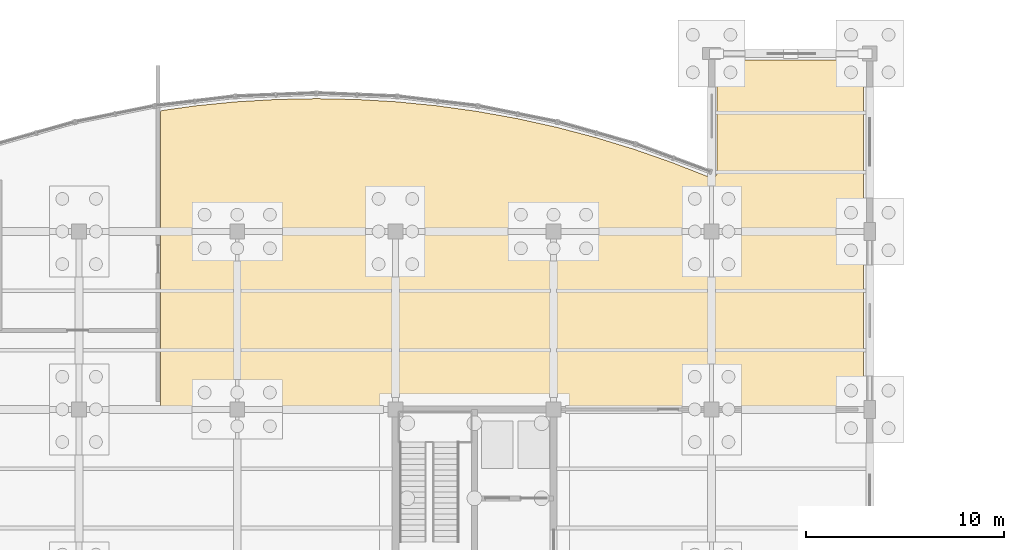
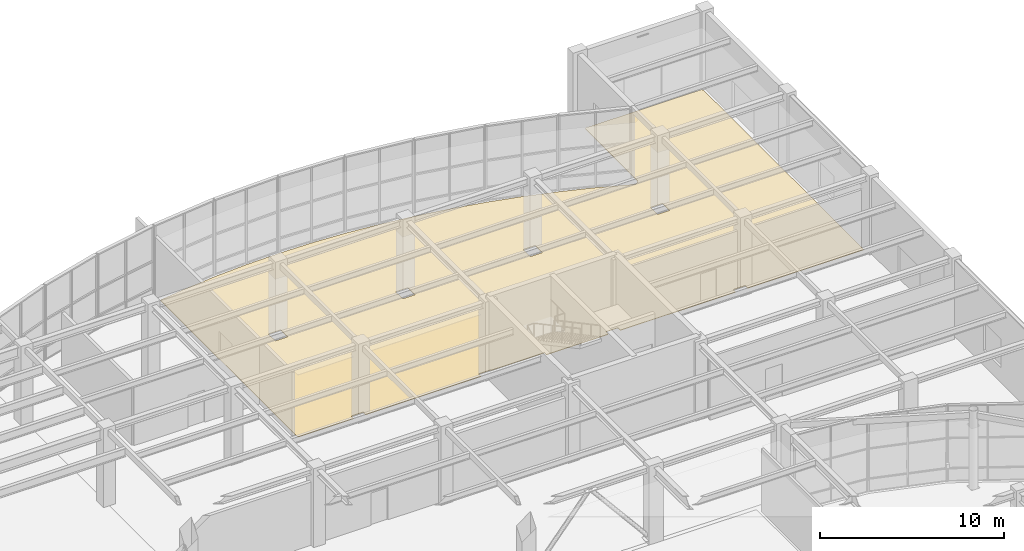
# One storey, part 83 of 85: 1 covering.
"""IFC4 building model written with IfcOpenShell, lengths in metres."""

from ifc_helpers import new_model, si_unit, direction, origin, place, context, subcontext, project, spatial, polyline, outline, extrude, material, layer, layer_set, type_object, element, save


model = new_model("IFC4")

# Units and contexts
model_context = context("Model", 3, precision=1e-05, world=origin(), true_north=direction((0.0, 1.0)))
body_context = subcontext(model_context, "Body", "Model", "MODEL_VIEW")
ifc_project = project(units=[si_unit("LENGTHUNIT", "METRE"), si_unit("AREAUNIT", "SQUARE_METRE"), si_unit("VOLUMEUNIT", "CUBIC_METRE"), si_unit("PLANEANGLEUNIT", "RADIAN"), si_unit("MASSUNIT", "GRAM", prefix="KILO")], contexts=[model_context])

# Site, building, storey
site_placement = place(None, origin())
site = spatial("IfcSite", under=ifc_project, at=site_placement, CompositionType="ELEMENT")
building_placement = place(site_placement, origin())
building = spatial("IfcBuilding", under=site, at=building_placement, Name="Keelwater Ferry Terminal", CompositionType="ELEMENT")
storey_placement = place(building_placement, origin())
storey = spatial("IfcBuildingStorey", under=building, at=storey_placement, Name="L00", CompositionType="ELEMENT", Elevation=0.0)

# Covering
ifc_material = material(Name="Polished mineral terrazzo tile", Category="stone")
ifc_layer = layer(ifc_material, 0.030029296875)
ifc_layer_set = layer_set([ifc_layer], Name="Polished mineral terrazzo tile")
covering_type = type_object("IfcCoveringType", Name="FL-TZ Marine Terrazzo Flooring", PredefinedType="FLOORING", material=ifc_layer_set)
covering_placement = place(storey_placement, origin())
element("IfcCovering", 1, at=covering_placement, inside=storey, type_object=covering_type, Name="Quayside Espresso Cafe Terrazzo Floor", PredefinedType="FLOORING", context=body_context, shape_type="SweptSolid", body=[
    extrude(outline(polyline([(147.91796875, 123.55908203125), (147.9208984375, 123.55908203125), (149.95703125, 123.678955078125), (149.9599609375, 123.678955078125), (151.47509765625, 123.708984375), (152.0, 123.719970703125), (152.52490234375, 123.708984375), (154.0400390625, 123.678955078125), (154.04296875, 123.678955078125), (156.0791015625, 123.55908203125), (156.08203125, 123.55908203125), (158.10888671875, 123.35791015625), (158.112060546875, 123.35693359375), (160.132080078125, 123.075927734375), (160.135009765625, 123.075927734375), (162.10888671875, 122.720947265625), (162.14208984375, 122.716064453125), (162.14404296875, 122.715087890625), (162.263916015625, 122.68896484375), (164.136962890625, 122.27587890625), (166.112060546875, 121.758056640625), (168.06494140625, 121.162109375), (168.804931640625, 120.904052734375), (169.990966796875, 120.489990234375), (169.993896484375, 120.488037109375), (171.89208984375, 119.741943359375), (171.89208984375, 119.740966796875), (171.89697265625, 119.739013671875), (171.923095703125, 119.73095703125), (171.949951171875, 119.72509765625), (171.97705078125, 119.720947265625), (172.00390625, 119.719970703125), (172.031005859375, 119.721923828125), (172.05810546875, 119.72607421875), (172.083984375, 119.73291015625), (172.110107421875, 119.741943359375), (172.134033203125, 119.75390625), (172.156005859375, 119.76806640625), (172.157958984375, 119.76904296875), (172.158935546875, 119.77001953125), (172.178955078125, 119.784912109375), (172.198974609375, 119.802978515625), (172.218017578125, 119.823974609375), (172.23388671875, 119.845947265625), (172.248046875, 119.868896484375), (172.259033203125, 119.89404296875), (172.26806640625, 119.9189453125), (172.27490234375, 119.946044921875), (172.279052734375, 119.972900390625), (172.280029296875, 120.0), (172.280029296875, 125.60009765625), (172.280029296875, 125.60009765625), (172.280029296875, 125.60791015625), (172.281982421875, 125.615966796875), (172.282958984375, 125.623046875), (172.285888671875, 125.631103515625), (172.2890625, 125.637939453125), (172.29296875, 125.64404296875), (172.298095703125, 125.65087890625), (172.302978515625, 125.656982421875), (172.30908203125, 125.662109375), (172.31591796875, 125.6669921875), (172.322021484375, 125.6708984375), (172.3291015625, 125.674072265625), (172.3369140625, 125.677001953125), (172.343994140625, 125.677978515625), (172.35205078125, 125.679931640625), (172.360107421875, 125.679931640625), (179.60009765625, 125.679931640625), (179.60791015625, 125.679931640625), (179.614990234375, 125.678955078125), (179.614990234375, 125.614990234375), (179.678955078125, 125.614990234375), (179.679931640625, 125.60791015625), (179.679931640625, 125.60009765625), (179.679931640625, 108.199951171875), (179.679931640625, 108.19189453125), (179.677978515625, 108.18408203125), (179.677001953125, 108.177001953125), (179.674072265625, 108.1689453125), (179.6708984375, 108.162109375), (179.6669921875, 108.156005859375), (179.662109375, 108.14892578125), (179.656982421875, 108.14306640625), (179.65087890625, 108.137939453125), (179.64404296875, 108.133056640625), (179.637939453125, 108.12890625), (179.631103515625, 108.1259765625), (179.623046875, 108.123046875), (179.615966796875, 108.1220703125), (179.60791015625, 108.1201171875), (179.60009765625, 108.1201171875), (172.39501953125, 108.1201171875), (172.386962890625, 108.1201171875), (172.385009765625, 108.12109375), (172.385009765625, 108.385009765625), (171.614990234375, 108.385009765625), (171.614990234375, 108.12109375), (171.613037109375, 108.1201171875), (171.60498046875, 108.1201171875), (164.39501953125, 108.1201171875), (164.386962890625, 108.1201171875), (164.385009765625, 108.12109375), (164.385009765625, 108.385009765625), (163.614990234375, 108.385009765625), (163.614990234375, 108.12109375), (163.613037109375, 108.1201171875), (163.60498046875, 108.1201171875), (159.739990234375, 108.1201171875), (159.739990234375, 108.340087890625), (156.385009765625, 108.340087890625), (156.385009765625, 108.385009765625), (155.614990234375, 108.385009765625), (155.614990234375, 108.12109375), (155.613037109375, 108.1201171875), (155.60498046875, 108.1201171875), (148.39501953125, 108.1201171875), (148.386962890625, 108.1201171875), (148.385009765625, 108.12109375), (148.385009765625, 108.385009765625), (147.614990234375, 108.385009765625), (147.614990234375, 108.12109375), (147.613037109375, 108.1201171875), (147.60498046875, 108.1201171875), (144.199951171875, 108.1201171875), (144.19189453125, 108.1201171875), (144.18408203125, 108.1220703125), (144.177001953125, 108.123046875), (144.1689453125, 108.1259765625), (144.162109375, 108.12890625), (144.156005859375, 108.133056640625), (144.14892578125, 108.137939453125), (144.14306640625, 108.14306640625), (144.137939453125, 108.14892578125), (144.133056640625, 108.156005859375), (144.12890625, 108.162109375), (144.1259765625, 108.1689453125), (144.123046875, 108.177001953125), (144.1220703125, 108.18408203125), (144.1201171875, 108.19189453125), (144.1201171875, 108.199951171875), (144.1201171875, 123.0419921875), (144.1201171875, 123.050048828125), (144.12109375, 123.056884765625), (144.123046875, 123.06494140625), (144.1259765625, 123.072021484375), (144.12890625, 123.0791015625), (144.133056640625, 123.0849609375), (144.136962890625, 123.092041015625), (144.14208984375, 123.096923828125), (144.14794921875, 123.10302734375), (144.154052734375, 123.10693359375), (144.159912109375, 123.111083984375), (144.1669921875, 123.114990234375), (144.174072265625, 123.117919921875), (144.180908203125, 123.1201171875), (144.18896484375, 123.12109375), (145.887939453125, 123.35693359375), (145.89111328125, 123.35791015625), (147.91796875, 123.55908203125)]), holes=[polyline([(148.385009765625, 117.385009765625), (147.614990234375, 117.385009765625), (147.614990234375, 116.614990234375), (148.385009765625, 116.614990234375), (148.385009765625, 117.385009765625)]), polyline([(164.385009765625, 117.385009765625), (163.614990234375, 117.385009765625), (163.614990234375, 116.614990234375), (164.385009765625, 116.614990234375), (164.385009765625, 117.385009765625)]), polyline([(156.385009765625, 117.385009765625), (155.614990234375, 117.385009765625), (155.614990234375, 116.614990234375), (156.385009765625, 116.614990234375), (156.385009765625, 117.385009765625)]), polyline([(171.614990234375, 117.385009765625), (171.614990234375, 116.614990234375), (172.385009765625, 116.614990234375), (172.385009765625, 117.385009765625), (171.614990234375, 117.385009765625)])]), origin(), (0.0, 0.0, 1.0), 0.030029296875),
])

save(model, "model.ifc")
